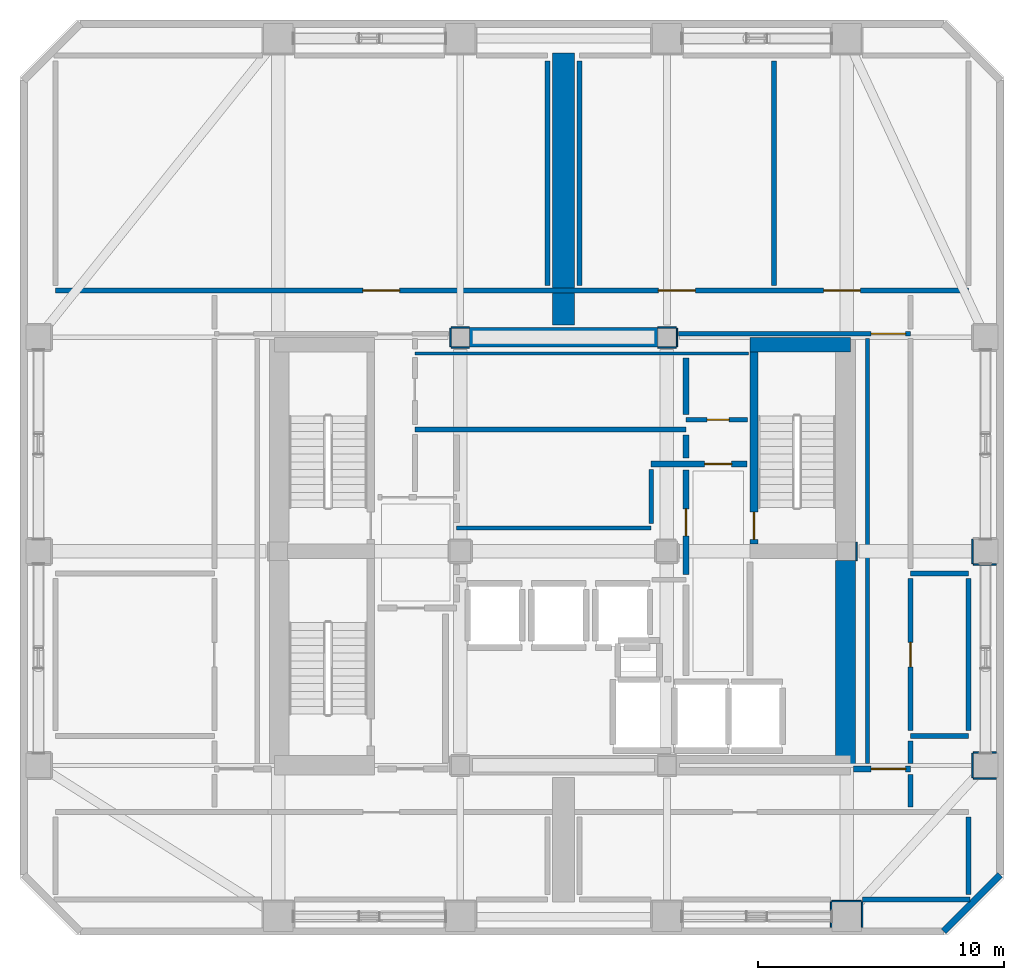
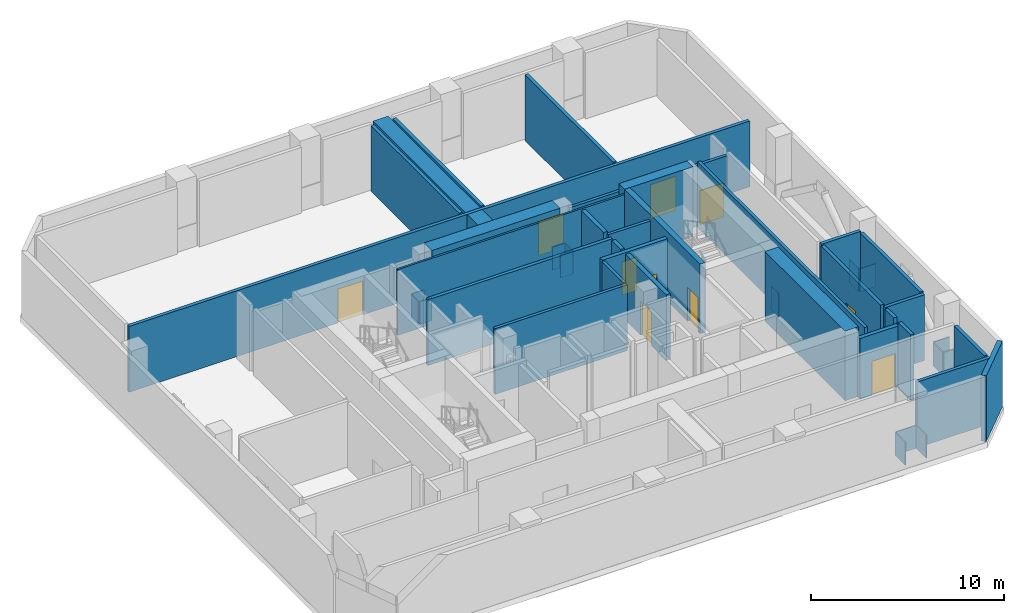
# One storey, part 10 of 12: 45 walls, 10 doors, 10 openings.
"""IFC4 building model written with IfcOpenShell, lengths in metres."""

from ifc_helpers import new_model, si_unit, direction, frame, frame_2d, origin, place, context, subcontext, project, spatial, rectangle, extrude, material, layer, layer_set, type_object, element, fill, save


model = new_model("IFC4")

# Units and contexts
model_context = context("Model", 3, precision=1e-05, world=origin(), true_north=direction((0.0, 1.0)))
body_context = subcontext(model_context, "Body", "Model", "MODEL_VIEW")
ifc_project = project(units=[si_unit("LENGTHUNIT", "METRE"), si_unit("AREAUNIT", "SQUARE_METRE"), si_unit("VOLUMEUNIT", "CUBIC_METRE"), si_unit("PLANEANGLEUNIT", "RADIAN"), si_unit("MASSUNIT", "GRAM", prefix="KILO")], contexts=[model_context])

# Site, building, storey
site_placement = place(None, origin())
site = spatial("IfcSite", under=ifc_project, at=site_placement, CompositionType="ELEMENT")
building_placement = place(site_placement, origin())
building = spatial("IfcBuilding", under=site, at=building_placement, Name="Solanera Arch Residences", CompositionType="ELEMENT")
storey_placement = place(building_placement, frame((0.0, 0.0, 172.47998046875)))
storey = spatial("IfcBuildingStorey", under=building, at=storey_placement, Name="L50", CompositionType="ELEMENT", Elevation=172.47998046875)

# Walls
ifc_material_1 = material(Name="Fire-Rated Gypsum Stud Partition", Category="gypsum")
ifc_layer_1 = layer(ifc_material_1, 0.06005859375)
ifc_layer_set_1 = layer_set([ifc_layer_1], Name="Fire-Rated Gypsum Stud Partition")
wall_type_1 = type_object("IfcWallType", Name="Column Acoustic Furring Wall 60", PredefinedType="PARTITIONING", material=ifc_layer_set_1)
for number, where, z_axis, x_axis, name in (
    (1, (20.425048828125, 38.992919921875, 0.0), (0.0, 0.0, 1.0), (1.0, 0.0, 0.0), "L50 Column Furring 3S"),
    (2, (20.425048828125, 39.806884765625, 0.0), (0.0, 0.0, 1.0), (1.0, 0.0, 0.0), "L50 Column Furring 3N"),
):
    element("IfcWall", number, at=place(storey_placement, frame(where, z_axis=z_axis, x_axis=x_axis)), inside=storey, type_object=wall_type_1, Name=name, PredefinedType="PARTITIONING", context=body_context, shape_type="SweptSolid", body=[
        extrude(rectangle(XDim=0.741943359375, YDim=0.06005859375, at=frame_2d((0.37109375, 0.0))), origin(), (0.0, 0.0, 1.0), 1.449951171875),
    ])
wall_1_placement = place(storey_placement, frame((20.39306640625, 39.02490234375, 0.0), z_axis=(0.0, 0.0, 1.0), x_axis=(0.0, 1.0, 0.0)))
element("IfcWall", 3, at=wall_1_placement, inside=storey, type_object=wall_type_1, Name="L50 Column Furring 3W", PredefinedType="PARTITIONING", context=body_context, shape_type="SweptSolid", body=[
    extrude(rectangle(XDim=0.75, YDim=0.06005859375, at=frame_2d((0.375, 0.0))), origin(), (0.0, 0.0, 1.0), 1.449951171875),
])
for number, where, z_axis, x_axis, name in (
    (4, (28.8330078125, 38.992919921875, 0.0), (0.0, 0.0, 1.0), (1.0, 0.0, 0.0), "L50 Column Furring 4S"),
    (5, (28.8330078125, 39.806884765625, 0.0), (0.0, 0.0, 1.0), (1.0, 0.0, 0.0), "L50 Column Furring 4N"),
):
    element("IfcWall", number, at=place(storey_placement, frame(where, z_axis=z_axis, x_axis=x_axis)), inside=storey, type_object=wall_type_1, Name=name, PredefinedType="PARTITIONING", context=body_context, shape_type="SweptSolid", body=[
        extrude(rectangle(XDim=0.741943359375, YDim=0.06005859375, at=frame_2d((0.37109375, 0.0))), origin(), (0.0, 0.0, 1.0), 1.449951171875),
    ])
for number, where, z_axis, x_axis, name in (
    (6, (29.60693359375, 39.02490234375, 0.0), (0.0, 0.0, 1.0), (0.0, 1.0, 0.0), "L50 Column Furring 4E"),
    (7, (36.906982421875, 30.324951171875, 0.0), (0.0, 0.0, 1.0), (0.0, 1.0, 0.0), "L50 Column Furring 6E"),
):
    element("IfcWall", number, at=place(storey_placement, frame(where, z_axis=z_axis, x_axis=x_axis)), inside=storey, type_object=wall_type_1, Name=name, PredefinedType="PARTITIONING", context=body_context, shape_type="SweptSolid", body=[
        extrude(rectangle(XDim=0.75, YDim=0.06005859375, at=frame_2d((0.375, 0.0))), origin(), (0.0, 0.0, 1.0), 1.449951171875),
    ])
wall_2_placement = place(storey_placement, frame((35.89990234375, 16.48193359375, 0.0), z_axis=(0.0, 0.0, 1.0), x_axis=(1.0, 0.0, 0.0)))
element("IfcWall", 8, at=wall_2_placement, inside=storey, type_object=wall_type_1, Name="L50 Column Furring 15N", PredefinedType="PARTITIONING", context=body_context, shape_type="SweptSolid", body=[
    extrude(rectangle(XDim=1.2001953125, YDim=0.06005859375, at=frame_2d((0.60009765625, 0.0))), origin(), (0.0, 0.0, 1.0), 1.449951171875),
])
for number, where, z_axis, x_axis, name in (
    (9, (35.867919921875, 15.409912109375, 0.0), (0.0, 0.0, 1.0), (0.0, 1.0, 0.0), "L50 Column Furring 15W"),
    (10, (37.132080078125, 15.409912109375, 0.0), (0.0, 0.0, 1.0), (0.0, 1.0, 0.0), "L50 Column Furring 15E"),
):
    element("IfcWall", number, at=place(storey_placement, frame(where, z_axis=z_axis, x_axis=x_axis)), inside=storey, type_object=wall_type_1, Name=name, PredefinedType="PARTITIONING", context=body_context, shape_type="SweptSolid", body=[
        extrude(rectangle(XDim=1.0400390625, YDim=0.06005859375, at=frame_2d((0.52001953125, 0.0))), origin(), (0.0, 0.0, 1.0), 1.449951171875),
    ])
for number, where, z_axis, x_axis, name in (
    (11, (41.64990234375, 21.468017578125, 0.0), (0.0, 0.0, 1.0), (1.0, 0.0, 0.0), "L50 Column Furring 18S"),
    (12, (41.64990234375, 22.531982421875, 0.0), (0.0, 0.0, 1.0), (1.0, 0.0, 0.0), "L50 Column Furring 18N"),
):
    element("IfcWall", number, at=place(storey_placement, frame(where, z_axis=z_axis, x_axis=x_axis)), inside=storey, type_object=wall_type_1, Name=name, PredefinedType="PARTITIONING", context=body_context, shape_type="SweptSolid", body=[
        extrude(rectangle(XDim=0.940185546875, YDim=0.06005859375, at=frame_2d((0.47021484375, 0.0))), origin(), (0.0, 0.0, 1.0), 1.449951171875),
    ])
wall_3_placement = place(storey_placement, frame((41.617919921875, 21.5, 0.0), z_axis=(0.0, 0.0, 1.0), x_axis=(0.0, 1.0, 0.0)))
element("IfcWall", 13, at=wall_3_placement, inside=storey, type_object=wall_type_1, Name="L50 Column Furring 18W", PredefinedType="PARTITIONING", context=body_context, shape_type="SweptSolid", body=[
    extrude(rectangle(XDim=1.0, YDim=0.06005859375, at=frame_2d((0.5, 0.0))), origin(), (0.0, 0.0, 1.0), 1.449951171875),
])
wall_4_placement = place(storey_placement, frame((41.64990234375, 30.16796875, 0.0), z_axis=(0.0, 0.0, 1.0), x_axis=(1.0, 0.0, 0.0)))
element("IfcWall", 14, at=wall_4_placement, inside=storey, type_object=wall_type_1, Name="L50 Column Furring 20S", PredefinedType="PARTITIONING", context=body_context, shape_type="SweptSolid", body=[
    extrude(rectangle(XDim=0.940185546875, YDim=0.06005859375, at=frame_2d((0.47021484375, 0.0))), origin(), (0.0, 0.0, 1.0), 1.449951171875),
])
wall_5_placement = place(storey_placement, frame((41.617919921875, 30.199951171875, 0.0), z_axis=(0.0, 0.0, 1.0), x_axis=(0.0, 1.0, 0.0)))
element("IfcWall", 15, at=wall_5_placement, inside=storey, type_object=wall_type_1, Name="L50 Column Furring 20W", PredefinedType="PARTITIONING", context=body_context, shape_type="SweptSolid", body=[
    extrude(rectangle(XDim=1.0, YDim=0.06005859375, at=frame_2d((0.5, 0.0))), origin(), (0.0, 0.0, 1.0), 1.449951171875),
])

# Wall, opening, door
ifc_material_2 = material(Name="Concrete C40/50 (f'c = 45 MPa)", Category="concrete")
ifc_layer_2 = layer(ifc_material_2, 0.320068359375)
ifc_layer_set_2 = layer_set([ifc_layer_2], Name="Concrete C40/50 (f'c = 45 MPa)")
wall_type_2 = type_object("IfcWallType", Name="Core Shear Wall CW-320", PredefinedType="SHEAR", material=ifc_layer_set_2)
wall_6_placement = place(storey_placement, frame((32.739990234375, 31.0, 0.0), z_axis=(0.0, 0.0, 1.0), x_axis=(0.0, 1.0, 0.0)))
wall_6 = element("IfcWall", 16, at=wall_6_placement, inside=storey, type_object=wall_type_2, Name="L50 Stair ST-T2 West Shear Wall", PredefinedType="SHEAR", context=body_context, shape_type="SweptSolid", body=[
    extrude(rectangle(XDim=7.800048828125, YDim=0.320068359375, at=frame_2d((3.89990234375, 0.0))), origin(), (0.0, 0.0, 1.0), 4.39990234375),
])
opening_1_placement = place(wall_6_placement, frame((0.18994140625, 0.0, 0.0)))
opening_1 = element("IfcOpeningElement", 17, at=opening_1_placement, cuts=wall_6, Name="Opening DF-01", PredefinedType="OPENING", context=body_context, shape_type="SweptSolid", body=[
    extrude(rectangle(XDim=1.10009765625, YDim=2.14990234375, at=frame_2d((0.550048828125, 1.074951171875))), frame((0.0, 0.169921875, 0.0), z_axis=(0.0, -1.0, 0.0), x_axis=(1.0, 0.0, 0.0)), (0.0, 0.0, 1.0), 0.3401),
])
ifc_material_3 = material(Name="Fire-Rated Architectural Hardwood", Category="wood")
door_type_1 = type_object("IfcDoorType", Name="Stair Exit Fire Door DF-01", OperationType="NOTDEFINED", PredefinedType="DOOR", material=ifc_material_3)
door_1_placement = place(opening_1_placement, origin())
door_1 = element("IfcDoor", 18, at=door_1_placement, inside=storey, type_object=door_type_1, Name="DR-L50-STAIR-ST-T2", OperationType="SINGLE_SWING_LEFT", OverallHeight=2.14990234375, OverallWidth=1.10009765625, PredefinedType="DOOR", context=body_context, shape_type="SweptSolid", body=[
    extrude(rectangle(XDim=1.10009765625, YDim=2.14990234375, at=frame_2d((0.550048828125, 1.074951171875))), frame((0.0, 0.02490234375, 0.0), z_axis=(0.0, -1.0, 0.0), x_axis=(1.0, 0.0, 0.0)), (0.0, 0.0, 1.0), 0.050048828125),
])
fill(opening_1, door_1)

# Walls
ifc_material_4 = material(Name="Concrete C40/50 (f'c = 45 MPa)", Category="concrete")
ifc_layer_3 = layer(ifc_material_4, 0.60009765625)
ifc_layer_set_3 = layer_set([ifc_layer_3], Name="Concrete C40/50 (f'c = 45 MPa)")
wall_type_3 = type_object("IfcWallType", Name="Core Shear Wall CW-600", PredefinedType="SHEAR", material=ifc_layer_set_3)
wall_7_placement = place(storey_placement, frame((32.580078125, 39.10009765625, 0.0), z_axis=(0.0, 0.0, 1.0), x_axis=(1.0, 0.0, 0.0)))
element("IfcWall", 19, at=wall_7_placement, inside=storey, type_object=wall_type_3, Name="L50 North-East Core Shear Wall", PredefinedType="SHEAR", context=body_context, shape_type="SweptSolid", body=[
    extrude(rectangle(XDim=4.079833984375, YDim=0.60009765625, at=frame_2d((2.0400390625, 0.0))), origin(), (0.0, 0.0, 1.0), 4.39990234375),
])
ifc_material_5 = material(Name="Concrete C40/50 (f'c = 45 MPa)", Category="concrete")
ifc_layer_4 = layer(ifc_material_5, 0.800048828125)
ifc_layer_set_4 = layer_set([ifc_layer_4], Name="Concrete C40/50 (f'c = 45 MPa)")
wall_type_4 = type_object("IfcWallType", Name="Core Shear Wall CW-800", PredefinedType="SHEAR", material=ifc_layer_set_4)
wall_8_placement = place(storey_placement, frame((36.4599609375, 22.0, 0.0), z_axis=(0.0, 0.0, 1.0), x_axis=(0.0, 1.0, 0.0)))
element("IfcWall", 20, at=wall_8_placement, inside=storey, type_object=wall_type_4, Name="L50 East Core South Shear Wall", PredefinedType="SHEAR", context=body_context, shape_type="SweptSolid", body=[
    extrude(rectangle(XDim=8.320068359375, YDim=0.800048828125, at=frame_2d((4.16015625, 0.0))), origin(), (0.0, 0.0, 1.0), 4.39990234375),
])
wall_9_placement = place(storey_placement, frame((21.179931640625, 39.39990234375, 0.0), z_axis=(0.0, 0.0, 1.0), x_axis=(1.0, 0.0, 0.0)))
element("IfcWall", 21, at=wall_9_placement, inside=storey, type_object=wall_type_4, Name="L50 Central North Core Shear Wall", PredefinedType="SHEAR", context=body_context, shape_type="SweptSolid", body=[
    extrude(rectangle(XDim=7.64013671875, YDim=0.800048828125, at=frame_2d((3.820068359375, 0.0))), origin(), (0.0, 0.0, 1.0), 4.39990234375),
])
ifc_material_6 = material(Name="Concrete C55/67 (f'c = 60 MPa)", Category="concrete")
ifc_layer_5 = layer(ifc_material_6, 0.89990234375)
ifc_layer_set_5 = layer_set([ifc_layer_5], Name="Concrete C55/67 (f'c = 60 MPa)")
wall_type_5 = type_object("IfcWallType", Name="Core Shear Wall Outrigger OW-900", PredefinedType="SHEAR", material=ifc_layer_set_5)
wall_10_placement = place(storey_placement, frame((25.0, 39.89990234375, 0.0), z_axis=(0.0, 0.0, 1.0), x_axis=(0.0, 1.0, 0.0)))
element("IfcWall", 22, at=wall_10_placement, inside=storey, type_object=wall_type_5, Name="L50 North Outrigger Shear Wall", PredefinedType="SHEAR", context=body_context, shape_type="SweptSolid", body=[
    extrude(rectangle(XDim=11.050048828125, YDim=0.89990234375, at=frame_2d((5.52490234375, 0.0))), origin(), (0.0, 0.0, 1.0), 4.159912109375),
])
ifc_material_7 = material(Name="Autoclaved Aerated Concrete Blockwork", Category="masonry")
ifc_layer_6 = layer(ifc_material_7, 0.179931640625)
ifc_layer_set_6 = layer_set([ifc_layer_6], Name="Autoclaved Aerated Concrete Blockwork")
wall_type_6 = type_object("IfcWallType", Name="Corridor Fire Partition 180", PredefinedType="PARTITIONING", material=ifc_layer_set_6)
wall_11_placement = place(storey_placement, frame((20.64990234375, 31.64990234375, 0.0), z_axis=(0.0, 0.0, 1.0), x_axis=(1.0, 0.0, 0.0)))
element("IfcWall", 23, at=wall_11_placement, inside=storey, type_object=wall_type_6, Name="L50 Interior Partition H18", PredefinedType="PARTITIONING", context=body_context, shape_type="SweptSolid", body=[
    extrude(rectangle(XDim=7.91015625, YDim=0.179931640625, at=frame_2d((3.955078125, 0.0))), origin(), (0.0, 0.0, 1.0), 4.159912109375),
])

# Wall, opening, door
wall_12_placement = place(storey_placement, frame((29.97509765625, 36.050048828125, 0.0), z_axis=(0.0, 0.0, 1.0), x_axis=(1.0, 0.0, 0.0)))
wall_12 = element("IfcWall", 24, at=wall_12_placement, inside=storey, type_object=wall_type_6, Name="L50 Interior Partition H19", PredefinedType="PARTITIONING", context=body_context, shape_type="SweptSolid", body=[
    extrude(rectangle(XDim=2.5048828125, YDim=0.179931640625, at=frame_2d((1.25244140625, 0.0))), origin(), (0.0, 0.0, 1.0), 4.159912109375),
])
opening_2_placement = place(wall_12_placement, frame((0.85205078125, 0.0, 0.0)))
opening_2 = element("IfcOpeningElement", 25, at=opening_2_placement, cuts=wall_12, Name="Opening DI-02", PredefinedType="OPENING", context=body_context, shape_type="SweptSolid", body=[
    extrude(rectangle(XDim=0.89990234375, YDim=2.10009765625, at=frame_2d((0.449951171875, 1.050048828125))), frame((0.0, 0.10009765625, 0.0), z_axis=(0.0, -1.0, 0.0), x_axis=(1.0, 0.0, 0.0)), (0.0, 0.0, 1.0), 0.1999),
])
ifc_material_8 = material(Name="Fire-Rated Architectural Hardwood", Category="wood")
door_type_2 = type_object("IfcDoorType", Name="Suite Room Swing Door DI-02", OperationType="NOTDEFINED", PredefinedType="DOOR", material=ifc_material_8)
door_2_placement = place(opening_2_placement, origin())
door_2 = element("IfcDoor", 26, at=door_2_placement, inside=storey, type_object=door_type_2, Name="DR-L50-IN-015", OperationType="SINGLE_SWING_RIGHT", OverallHeight=2.10009765625, OverallWidth=0.89990234375, PredefinedType="DOOR", context=body_context, shape_type="SweptSolid", body=[
    extrude(rectangle(XDim=0.89990234375, YDim=2.10009765625, at=frame_2d((0.449951171875, 1.050048828125))), frame((0.0, 0.02490234375, 0.0), z_axis=(0.0, -1.0, 0.0), x_axis=(1.0, 0.0, 0.0)), (0.0, 0.0, 1.0), 0.050048828125),
])
fill(opening_2, door_2)

wall_13_placement = place(storey_placement, frame((29.677001953125, 39.550048828125, 0.0), z_axis=(0.0, 0.0, 1.0), x_axis=(1.0, 0.0, 0.0)))
wall_13 = element("IfcWall", 27, at=wall_13_placement, inside=storey, type_object=wall_type_6, Name="L50 Interior Partition H20 2", PredefinedType="PARTITIONING", context=body_context, shape_type="SweptSolid", body=[
    extrude(rectangle(XDim=9.423095703125, YDim=0.179931640625, at=frame_2d((4.71142578125, 0.0))), origin(), (0.0, 0.0, 1.0), 3.842041015625),
])
opening_3_placement = place(wall_13_placement, frame((7.823974609375, 0.0, 0.0)))
opening_3 = element("IfcOpeningElement", 28, at=opening_3_placement, cuts=wall_13, Name="Opening DF-03", PredefinedType="OPENING", context=body_context, shape_type="SweptSolid", body=[
    extrude(rectangle(XDim=1.39990234375, YDim=2.14990234375, at=frame_2d((0.699951171875, 1.074951171875))), frame((0.0, 0.10009765625, 0.0), z_axis=(0.0, -1.0, 0.0), x_axis=(1.0, 0.0, 0.0)), (0.0, 0.0, 1.0), 0.1999),
])
ifc_material_9 = material(Name="Fire-Rated Architectural Hardwood", Category="wood")
door_type_3 = type_object("IfcDoorType", Name="Corridor Smoke Door DF-03", OperationType="NOTDEFINED", PredefinedType="DOOR", material=ifc_material_9)
door_3_placement = place(opening_3_placement, origin())
door_3 = element("IfcDoor", 29, at=door_3_placement, inside=storey, type_object=door_type_3, Name="DR-L50-IN-013", OperationType="SINGLE_SWING_RIGHT", OverallHeight=2.14990234375, OverallWidth=1.39990234375, PredefinedType="DOOR", context=body_context, shape_type="SweptSolid", body=[
    extrude(rectangle(XDim=1.39990234375, YDim=2.14990234375, at=frame_2d((0.699951171875, 1.074951171875))), frame((0.0, 0.02490234375, 0.0), z_axis=(0.0, -1.0, 0.0), x_axis=(1.0, 0.0, 0.0)), (0.0, 0.0, 1.0), 0.050048828125),
])
fill(opening_3, door_3)

# Walls
wall_14_placement = place(storey_placement, frame((28.56005859375, 31.837890625, 0.0), z_axis=(0.0, 0.0, 1.0), x_axis=(0.0, 1.0, 0.0)))
element("IfcWall", 30, at=wall_14_placement, inside=storey, type_object=wall_type_6, Name="L50 Interior Partition V21", PredefinedType="PARTITIONING", context=body_context, shape_type="SweptSolid", body=[
    extrude(rectangle(XDim=2.194091796875, YDim=0.179931640625, at=frame_2d((1.09716796875, 0.0))), origin(), (0.0, 0.0, 1.0), 4.159912109375),
])
wall_15_placement = place(storey_placement, frame((37.35009765625, 22.068115234375, 0.0), z_axis=(0.0, 0.0, 1.0), x_axis=(0.0, 1.0, 0.0)))
element("IfcWall", 31, at=wall_15_placement, inside=storey, type_object=wall_type_6, Name="L50 Interior Partition V22", PredefinedType="PARTITIONING", context=body_context, shape_type="SweptSolid", body=[
    extrude(rectangle(XDim=17.2939453125, YDim=0.179931640625, at=frame_2d((8.64697265625, 0.0))), origin(), (0.0, 0.0, 1.0), 4.159912109375),
])
ifc_material_10 = material(Name="Precast Concrete C35/45", Category="concrete")
ifc_layer_7 = layer(ifc_material_10, 0.280029296875)
ifc_layer_set_7 = layer_set([ifc_layer_7], Name="Precast Concrete C35/45")
wall_type_7 = type_object("IfcWallType", Name="Exterior Wall Precast Masonry-Frame 280", PredefinedType="STANDARD", material=ifc_layer_set_7)
wall_16_placement = place(storey_placement, frame((42.7451171875, 17.554931640625, 0.0), z_axis=(0.0, 0.0, 1.0), x_axis=(-0.707106781187, -0.707106781187, 0.0)))
element("IfcWall", 32, at=wall_16_placement, inside=storey, type_object=wall_type_7, Name="L50 Tower Exterior Precast Masonry-Frame Wall CH5", PredefinedType="STANDARD", context=body_context, shape_type="SweptSolid", body=[
    extrude(rectangle(XDim=3.252685546875, YDim=0.280029296875, at=frame_2d((1.62646484375, 0.0))), origin(), (0.0, 0.0, 1.0), 4.159912109375),
])
ifc_material_11 = material(Name="Autoclaved Aerated Concrete Blockwork", Category="masonry")
ifc_layer_8 = layer(ifc_material_11, 0.199951171875)
ifc_layer_set_8 = layer_set([ifc_layer_8], Name="Autoclaved Aerated Concrete Blockwork")
wall_type_8 = type_object("IfcWallType", Name="Party Wall Acoustic 200", PredefinedType="PARTITIONING", material=ifc_layer_set_8)
wall_17_placement = place(storey_placement, frame((37.14990234375, 16.550048828125, 0.0), z_axis=(0.0, 0.0, 1.0), x_axis=(1.0, 0.0, 0.0)))
element("IfcWall", 33, at=wall_17_placement, inside=storey, type_object=wall_type_8, Name="L50 Interior Partition H7 3", PredefinedType="PARTITIONING", context=body_context, shape_type="SweptSolid", body=[
    extrude(rectangle(XDim=4.375, YDim=0.199951171875, at=frame_2d((2.1875, 0.0))), origin(), (0.0, 0.0, 1.0), 4.159912109375),
])
for number, where, z_axis, x_axis, name in (
    (34, (39.10009765625, 23.199951171875, 0.0), (0.0, 0.0, 1.0), (1.0, 0.0, 0.0), "L50 Interior Partition H10"),
    (35, (39.10009765625, 29.800048828125, 0.0), (0.0, 0.0, 1.0), (1.0, 0.0, 0.0), "L50 Interior Partition H12"),
):
    element("IfcWall", number, at=place(storey_placement, frame(where, z_axis=z_axis, x_axis=x_axis)), inside=storey, type_object=wall_type_8, Name=name, PredefinedType="PARTITIONING", context=body_context, shape_type="SweptSolid", body=[
        extrude(rectangle(XDim=2.349853515625, YDim=0.199951171875, at=frame_2d((1.1748046875, 0.0))), origin(), (0.0, 0.0, 1.0), 4.159912109375),
    ])
wall_18_placement = place(storey_placement, frame((18.949951171875, 35.64990234375, 0.0), z_axis=(0.0, 0.0, 1.0), x_axis=(1.0, 0.0, 0.0)))
element("IfcWall", 36, at=wall_18_placement, inside=storey, type_object=wall_type_8, Name="L50 Interior Partition H13", PredefinedType="PARTITIONING", context=body_context, shape_type="SweptSolid", body=[
    extrude(rectangle(XDim=11.025146484375, YDim=0.199951171875, at=frame_2d((5.5126953125, 0.0))), origin(), (0.0, 0.0, 1.0), 4.159912109375),
])

# Wall, openings, doors
wall_19_placement = place(storey_placement, frame((4.35009765625, 41.300048828125, 0.0), z_axis=(0.0, 0.0, 1.0), x_axis=(1.0, 0.0, 0.0)))
wall_19 = element("IfcWall", 37, at=wall_19_placement, inside=storey, type_object=wall_type_8, Name="L50 Interior Partition H14", PredefinedType="PARTITIONING", context=body_context, shape_type="SweptSolid", body=[
    extrude(rectangle(XDim=37.099853515625, YDim=0.199951171875, at=frame_2d((18.5498046875, 0.0))), origin(), (0.0, 0.0, 1.0), 4.159912109375),
])
opening_4_placement = place(wall_19_placement, frame((24.5, 0.0, 0.0)))
opening_4 = element("IfcOpeningElement", 38, at=opening_4_placement, cuts=wall_19, Name="Opening DP-01", PredefinedType="OPENING", context=body_context, shape_type="SweptSolid", body=[
    extrude(rectangle(XDim=1.5, YDim=2.14990234375, at=frame_2d((0.75, 1.074951171875))), frame((0.0, 0.110107421875, 0.0), z_axis=(0.0, -1.0, 0.0), x_axis=(1.0, 0.0, 0.0)), (0.0, 0.0, 1.0), 0.22),
])
opening_5_placement = place(wall_19_placement, frame((31.215087890625, 0.0, 0.0)))
opening_5 = element("IfcOpeningElement", 39, at=opening_5_placement, cuts=wall_19, Name="Opening DP-01", PredefinedType="OPENING", context=body_context, shape_type="SweptSolid", body=[
    extrude(rectangle(XDim=1.5, YDim=2.14990234375, at=frame_2d((0.75, 1.074951171875))), frame((0.0, 0.110107421875, 0.0), z_axis=(0.0, -1.0, 0.0), x_axis=(1.0, 0.0, 0.0)), (0.0, 0.0, 1.0), 0.22),
])
opening_6_placement = place(wall_19_placement, frame((12.485107421875, 0.0, 0.0)))
opening_6 = element("IfcOpeningElement", 40, at=opening_6_placement, cuts=wall_19, Name="Opening DP-01", PredefinedType="OPENING", context=body_context, shape_type="SweptSolid", body=[
    extrude(rectangle(XDim=1.5, YDim=2.14990234375, at=frame_2d((0.75, 1.074951171875))), frame((0.0, 0.110107421875, 0.0), z_axis=(0.0, -1.0, 0.0), x_axis=(1.0, 0.0, 0.0)), (0.0, 0.0, 1.0), 0.22),
])
ifc_material_12 = material(Name="Fire-Rated Architectural Hardwood", Category="wood")
door_type_4 = type_object("IfcDoorType", Name="Plant Double Fire Door DP-01", OperationType="NOTDEFINED", PredefinedType="DOOR", material=ifc_material_12)
door_4_placement = place(opening_4_placement, origin())
door_4 = element("IfcDoor", 41, at=door_4_placement, inside=storey, type_object=door_type_4, Name="DR-L50-IN-020", OperationType="SINGLE_SWING_LEFT", OverallHeight=2.14990234375, OverallWidth=1.5, PredefinedType="DOOR", context=body_context, shape_type="SweptSolid", body=[
    extrude(rectangle(XDim=1.5, YDim=2.14990234375, at=frame_2d((0.75, 1.074951171875))), frame((0.0, 0.02490234375, 0.0), z_axis=(0.0, -1.0, 0.0), x_axis=(1.0, 0.0, 0.0)), (0.0, 0.0, 1.0), 0.050048828125),
])
fill(opening_4, door_4)
door_5_placement = place(opening_5_placement, origin())
door_5 = element("IfcDoor", 42, at=door_5_placement, inside=storey, type_object=door_type_4, Name="DR-L50-IN-021", OperationType="SINGLE_SWING_RIGHT", OverallHeight=2.14990234375, OverallWidth=1.5, PredefinedType="DOOR", context=body_context, shape_type="SweptSolid", body=[
    extrude(rectangle(XDim=1.5, YDim=2.14990234375, at=frame_2d((0.75, 1.074951171875))), frame((0.0, 0.02490234375, 0.0), z_axis=(0.0, -1.0, 0.0), x_axis=(1.0, 0.0, 0.0)), (0.0, 0.0, 1.0), 0.050048828125),
])
fill(opening_5, door_5)
door_6_placement = place(opening_6_placement, origin())
door_6 = element("IfcDoor", 43, at=door_6_placement, inside=storey, type_object=door_type_4, Name="DR-L50-IN-023", OperationType="SINGLE_SWING_RIGHT", OverallHeight=2.14990234375, OverallWidth=1.5, PredefinedType="DOOR", context=body_context, shape_type="SweptSolid", body=[
    extrude(rectangle(XDim=1.5, YDim=2.14990234375, at=frame_2d((0.75, 1.074951171875))), frame((0.0, 0.02490234375, 0.0), z_axis=(0.0, -1.0, 0.0), x_axis=(1.0, 0.0, 0.0)), (0.0, 0.0, 1.0), 0.050048828125),
])
fill(opening_6, door_6)

# Walls
for number, where, z_axis, x_axis, name in (
    (44, (24.35009765625, 41.508056640625, 0.0), (0.0, 0.0, 1.0), (0.0, 1.0, 0.0), "L50 Interior Partition V12"),
    (45, (25.64990234375, 41.508056640625, 0.0), (0.0, 0.0, 1.0), (0.0, 1.0, 0.0), "L50 Interior Partition V14"),
    (46, (33.550048828125, 41.508056640625, 0.0), (0.0, 0.0, 1.0), (0.0, 1.0, 0.0), "L50 Interior Partition V15"),
):
    element("IfcWall", number, at=place(storey_placement, frame(where, z_axis=z_axis, x_axis=x_axis)), inside=storey, type_object=wall_type_8, Name=name, PredefinedType="PARTITIONING", context=body_context, shape_type="SweptSolid", body=[
        extrude(rectangle(XDim=9.134033203125, YDim=0.199951171875, at=frame_2d((4.56689453125, 0.0))), origin(), (0.0, 0.0, 1.0), 4.159912109375),
    ])
wall_20_placement = place(storey_placement, frame((39.10009765625, 20.30810546875, 0.0), z_axis=(0.0, 0.0, 1.0), x_axis=(0.0, 1.0, 0.0)))
element("IfcWall", 47, at=wall_20_placement, inside=storey, type_object=wall_type_8, Name="L50 Interior Partition V16 1", PredefinedType="PARTITIONING", context=body_context, shape_type="SweptSolid", body=[
    extrude(rectangle(XDim=1.31396484375, YDim=0.199951171875, at=frame_2d((0.656982421875, 0.0))), origin(), (0.0, 0.0, 1.0), 4.159912109375),
])
wall_21_placement = place(storey_placement, frame((39.10009765625, 22.077880859375, 0.0), z_axis=(0.0, 0.0, 1.0), x_axis=(0.0, 1.0, 0.0)))
element("IfcWall", 48, at=wall_21_placement, inside=storey, type_object=wall_type_8, Name="L50 Interior Partition V16 2", PredefinedType="PARTITIONING", context=body_context, shape_type="SweptSolid", body=[
    extrude(rectangle(XDim=0.9140625, YDim=0.199951171875, at=frame_2d((0.45703125, 0.0))), origin(), (0.0, 0.0, 1.0), 4.159912109375),
])

# Wall, opening, door
wall_22_placement = place(storey_placement, frame((39.10009765625, 23.407958984375, 0.0), z_axis=(0.0, 0.0, 1.0), x_axis=(0.0, 1.0, 0.0)))
wall_22 = element("IfcWall", 49, at=wall_22_placement, inside=storey, type_object=wall_type_8, Name="L50 Interior Partition V16 3", PredefinedType="PARTITIONING", context=body_context, shape_type="SweptSolid", body=[
    extrude(rectangle(XDim=6.18408203125, YDim=0.199951171875, at=frame_2d((3.092041015625, 0.0))), origin(), (0.0, 0.0, 1.0), 4.159912109375),
])
opening_7_placement = place(wall_22_placement, frame((2.592041015625, 0.0, 0.0)))
opening_7 = element("IfcOpeningElement", 50, at=opening_7_placement, cuts=wall_22, Name="Opening DI-01", PredefinedType="OPENING", context=body_context, shape_type="SweptSolid", body=[
    extrude(rectangle(XDim=1.0, YDim=2.14990234375, at=frame_2d((0.5, 1.074951171875))), frame((0.0, 0.110107421875, 0.0), z_axis=(0.0, -1.0, 0.0), x_axis=(1.0, 0.0, 0.0)), (0.0, 0.0, 1.0), 0.22),
])
ifc_material_13 = material(Name="Fire-Rated Architectural Hardwood", Category="wood")
door_type_5 = type_object("IfcDoorType", Name="Unit Entrance Fire Door DI-01", OperationType="NOTDEFINED", PredefinedType="DOOR", material=ifc_material_13)
door_7_placement = place(opening_7_placement, origin())
door_7 = element("IfcDoor", 51, at=door_7_placement, inside=storey, type_object=door_type_5, Name="DR-L50-IN-018", OperationType="SINGLE_SWING_LEFT", OverallHeight=2.14990234375, OverallWidth=1.0, PredefinedType="DOOR", context=body_context, shape_type="SweptSolid", body=[
    extrude(rectangle(XDim=1.0, YDim=2.14990234375, at=frame_2d((0.5, 1.074951171875))), frame((0.0, 0.02490234375, 0.0), z_axis=(0.0, -1.0, 0.0), x_axis=(1.0, 0.0, 0.0)), (0.0, 0.0, 1.0), 0.050048828125),
])
fill(opening_7, door_7)

# Walls
wall_23_placement = place(storey_placement, frame((41.449951171875, 16.758056640625, 0.0), z_axis=(0.0, 0.0, 1.0), x_axis=(0.0, 1.0, 0.0)))
element("IfcWall", 52, at=wall_23_placement, inside=storey, type_object=wall_type_8, Name="L50 Interior Partition V17", PredefinedType="PARTITIONING", context=body_context, shape_type="SweptSolid", body=[
    extrude(rectangle(XDim=3.134033203125, YDim=0.199951171875, at=frame_2d((1.56689453125, 0.0))), origin(), (0.0, 0.0, 1.0), 4.159912109375),
])
wall_24_placement = place(storey_placement, frame((41.449951171875, 23.407958984375, 0.0), z_axis=(0.0, 0.0, 1.0), x_axis=(0.0, 1.0, 0.0)))
element("IfcWall", 53, at=wall_24_placement, inside=storey, type_object=wall_type_8, Name="L50 Interior Partition V18", PredefinedType="PARTITIONING", context=body_context, shape_type="SweptSolid", body=[
    extrude(rectangle(XDim=6.18408203125, YDim=0.199951171875, at=frame_2d((3.092041015625, 0.0))), origin(), (0.0, 0.0, 1.0), 4.159912109375),
])

# Wall, opening, door
ifc_material_14 = material(Name="Autoclaved Aerated Concrete Blockwork", Category="masonry")
ifc_layer_9 = layer(ifc_material_14, 0.239990234375)
ifc_layer_set_9 = layer_set([ifc_layer_9], Name="Autoclaved Aerated Concrete Blockwork")
wall_type_9 = type_object("IfcWallType", Name="Shaft Wall Fire-Rated 240", PredefinedType="PARTITIONING", material=ifc_layer_set_9)
wall_25_placement = place(storey_placement, frame((36.7900390625, 21.85009765625, 0.0), z_axis=(0.0, 0.0, 1.0), x_axis=(1.0, 0.0, 0.0)))
wall_25 = element("IfcWall", 54, at=wall_25_placement, inside=storey, type_object=wall_type_9, Name="L50 Interior Partition H1 3", PredefinedType="PARTITIONING", context=body_context, shape_type="SweptSolid", body=[
    extrude(rectangle(XDim=2.31005859375, YDim=0.239990234375, at=frame_2d((1.155029296875, 0.0))), origin(), (0.0, 0.0, 1.0), 3.842041015625),
])
opening_8_placement = place(wall_25_placement, frame((0.7109375, 0.0, 0.0)))
opening_8 = element("IfcOpeningElement", 55, at=opening_8_placement, cuts=wall_25, Name="Opening DF-03", PredefinedType="OPENING", context=body_context, shape_type="SweptSolid", body=[
    extrude(rectangle(XDim=1.39990234375, YDim=2.14990234375, at=frame_2d((0.699951171875, 1.074951171875))), frame((0.0, 0.1298828125, 0.0), z_axis=(0.0, -1.0, 0.0), x_axis=(1.0, 0.0, 0.0)), (0.0, 0.0, 1.0), 0.26),
])
door_8_placement = place(opening_8_placement, origin())
door_8 = element("IfcDoor", 56, at=door_8_placement, inside=storey, type_object=door_type_3, Name="DR-L50-IN-011", OperationType="SINGLE_SWING_RIGHT", OverallHeight=2.14990234375, OverallWidth=1.39990234375, PredefinedType="DOOR", context=body_context, shape_type="SweptSolid", body=[
    extrude(rectangle(XDim=1.39990234375, YDim=2.14990234375, at=frame_2d((0.699951171875, 1.074951171875))), frame((0.0, 0.02490234375, 0.0), z_axis=(0.0, -1.0, 0.0), x_axis=(1.0, 0.0, 0.0)), (0.0, 0.0, 1.0), 0.050048828125),
])
fill(opening_8, door_8)

wall_26_placement = place(storey_placement, frame((28.56005859375, 34.25, 0.0), z_axis=(0.0, 0.0, 1.0), x_axis=(1.0, 0.0, 0.0)))
wall_26 = element("IfcWall", 57, at=wall_26_placement, inside=storey, type_object=wall_type_9, Name="L50 Interior Partition H5", PredefinedType="PARTITIONING", context=body_context, shape_type="SweptSolid", body=[
    extrude(rectangle(XDim=3.889892578125, YDim=0.239990234375, at=frame_2d((1.94482421875, 0.0))), origin(), (0.0, 0.0, 1.0), 4.159912109375),
])
opening_9_placement = place(wall_26_placement, frame((2.1669921875, 0.0, 0.0)))
opening_9 = element("IfcOpeningElement", 58, at=opening_9_placement, cuts=wall_26, Name="Opening DF-02", PredefinedType="OPENING", context=body_context, shape_type="SweptSolid", body=[
    extrude(rectangle(XDim=1.10009765625, YDim=2.14990234375, at=frame_2d((0.550048828125, 1.074951171875))), frame((0.0, 0.1298828125, 0.0), z_axis=(0.0, -1.0, 0.0), x_axis=(1.0, 0.0, 0.0)), (0.0, 0.0, 1.0), 0.26),
])
ifc_material_15 = material(Name="Fire-Rated Architectural Hardwood", Category="wood")
door_type_6 = type_object("IfcDoorType", Name="Firefighting Lobby Fire Door DF-02", OperationType="NOTDEFINED", PredefinedType="DOOR", material=ifc_material_15)
door_9_placement = place(opening_9_placement, origin())
door_9 = element("IfcDoor", 59, at=door_9_placement, inside=storey, type_object=door_type_6, Name="DR-L50-IN-007", OperationType="SINGLE_SWING_RIGHT", OverallHeight=2.14990234375, OverallWidth=1.10009765625, PredefinedType="DOOR", context=body_context, shape_type="SweptSolid", body=[
    extrude(rectangle(XDim=1.10009765625, YDim=2.14990234375, at=frame_2d((0.550048828125, 1.074951171875))), frame((0.0, 0.02490234375, 0.0), z_axis=(0.0, -1.0, 0.0), x_axis=(1.0, 0.0, 0.0)), (0.0, 0.0, 1.0), 0.050048828125),
])
fill(opening_9, door_9)

wall_27_placement = place(storey_placement, frame((29.97509765625, 29.76806640625, 0.0), z_axis=(0.0, 0.0, 1.0), x_axis=(0.0, 1.0, 0.0)))
wall_27 = element("IfcWall", 60, at=wall_27_placement, inside=storey, type_object=wall_type_9, Name="L50 Interior Partition V4 2", PredefinedType="PARTITIONING", context=body_context, shape_type="SweptSolid", body=[
    extrude(rectangle(XDim=4.23388671875, YDim=0.239990234375, at=frame_2d((2.116943359375, 0.0))), origin(), (0.0, 0.0, 1.0), 4.159912109375),
])
opening_10_placement = place(wall_27_placement, frame((1.556884765625, 0.0, 0.0)))
opening_10 = element("IfcOpeningElement", 61, at=opening_10_placement, cuts=wall_27, Name="Opening DF-02", PredefinedType="OPENING", context=body_context, shape_type="SweptSolid", body=[
    extrude(rectangle(XDim=1.10009765625, YDim=2.14990234375, at=frame_2d((0.550048828125, 1.074951171875))), frame((0.0, 0.1298828125, 0.0), z_axis=(0.0, -1.0, 0.0), x_axis=(1.0, 0.0, 0.0)), (0.0, 0.0, 1.0), 0.26),
])
door_10_placement = place(opening_10_placement, origin())
door_10 = element("IfcDoor", 62, at=door_10_placement, inside=storey, type_object=door_type_6, Name="DR-L50-IN-006", OperationType="SINGLE_SWING_LEFT", OverallHeight=2.14990234375, OverallWidth=1.10009765625, PredefinedType="DOOR", context=body_context, shape_type="SweptSolid", body=[
    extrude(rectangle(XDim=1.10009765625, YDim=2.14990234375, at=frame_2d((0.550048828125, 1.074951171875))), frame((0.0, 0.02490234375, 0.0), z_axis=(0.0, -1.0, 0.0), x_axis=(1.0, 0.0, 0.0)), (0.0, 0.0, 1.0), 0.050048828125),
])
fill(opening_10, door_10)

# Walls
wall_28_placement = place(storey_placement, frame((29.97509765625, 34.498046875, 0.0), z_axis=(0.0, 0.0, 1.0), x_axis=(0.0, 1.0, 0.0)))
element("IfcWall", 63, at=wall_28_placement, inside=storey, type_object=wall_type_9, Name="L50 Interior Partition V4 3", PredefinedType="PARTITIONING", context=body_context, shape_type="SweptSolid", body=[
    extrude(rectangle(XDim=0.924072265625, YDim=0.239990234375, at=frame_2d((0.4619140625, 0.0))), origin(), (0.0, 0.0, 1.0), 4.159912109375),
])
wall_29_placement = place(storey_placement, frame((29.97509765625, 36.26806640625, 0.0), z_axis=(0.0, 0.0, 1.0), x_axis=(0.0, 1.0, 0.0)))
element("IfcWall", 64, at=wall_29_placement, inside=storey, type_object=wall_type_9, Name="L50 Interior Partition V4 4", PredefinedType="PARTITIONING", context=body_context, shape_type="SweptSolid", body=[
    extrude(rectangle(XDim=2.2939453125, YDim=0.239990234375, at=frame_2d((1.14697265625, 0.0))), origin(), (0.0, 0.0, 1.0), 4.159912109375),
])
ifc_material_16 = material(Name="Fire-Rated Gypsum Stud Partition", Category="gypsum")
ifc_layer_10 = layer(ifc_material_16, 0.1201171875)
ifc_layer_set_10 = layer_set([ifc_layer_10], Name="Fire-Rated Gypsum Stud Partition")
wall_type_10 = type_object("IfcWallType", Name="Unit Drywall Partition 120", PredefinedType="PARTITIONING", material=ifc_layer_set_10)
wall_30_placement = place(storey_placement, frame((18.949951171875, 38.75, 0.0), z_axis=(0.0, 0.0, 1.0), x_axis=(1.0, 0.0, 0.0)))
element("IfcWall", 65, at=wall_30_placement, inside=storey, type_object=wall_type_10, Name="L50 Interior Partition H21", PredefinedType="PARTITIONING", context=body_context, shape_type="SweptSolid", body=[
    extrude(rectangle(XDim=13.56005859375, YDim=0.1201171875, at=frame_2d((6.780029296875, 0.0))), origin(), (0.0, 0.0, 1.0), 4.159912109375),
])

save(model, "model.ifc")
